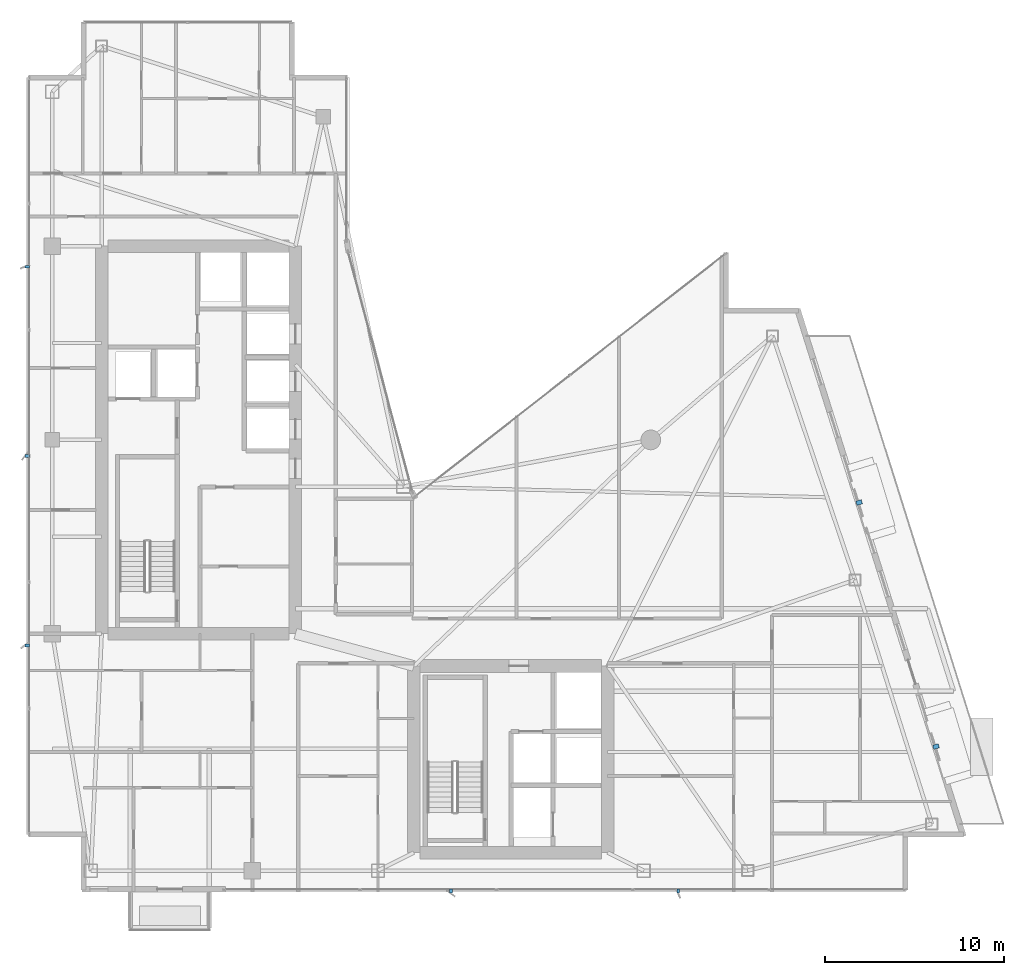
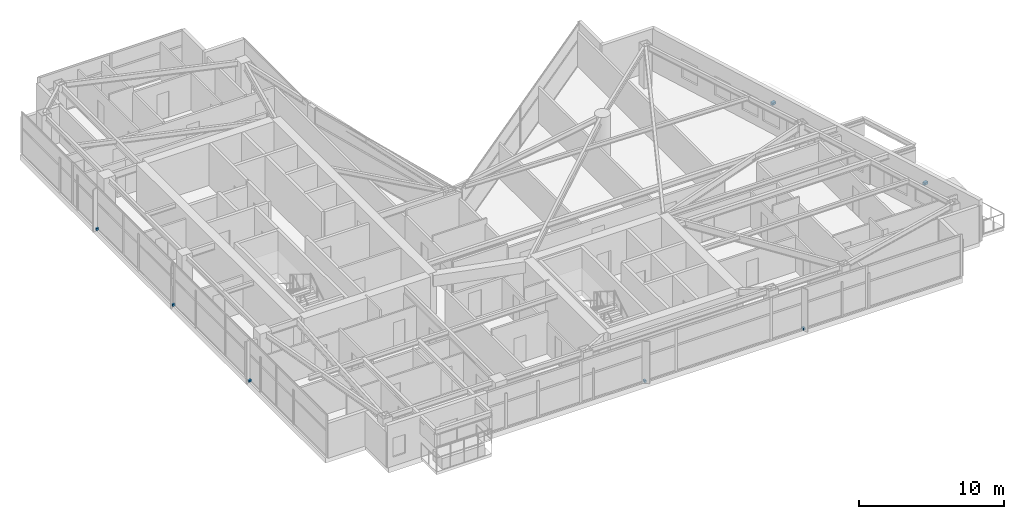
# One storey, part 27 of 29: 7 discrete accessories.
"""IFC4 building model written with IfcOpenShell, lengths in metres."""

from ifc_helpers import new_model, si_unit, direction, frame, origin, origin_2d, place, context, subcontext, project, spatial, rectangle, extrude, material, type_object, element, save


model = new_model("IFC4")

# Units and contexts
model_context = context("Model", 3, precision=1e-05, world=origin(), true_north=direction((0.0, 1.0)))
body_context = subcontext(model_context, "Body", "Model", "MODEL_VIEW")
ifc_project = project(units=[si_unit("LENGTHUNIT", "METRE"), si_unit("AREAUNIT", "SQUARE_METRE"), si_unit("VOLUMEUNIT", "CUBIC_METRE"), si_unit("PLANEANGLEUNIT", "RADIAN"), si_unit("MASSUNIT", "GRAM", prefix="KILO")], contexts=[model_context])

# Site, building, storey
site_placement = place(None, origin())
site = spatial("IfcSite", under=ifc_project, at=site_placement, CompositionType="ELEMENT")
building_placement = place(site_placement, origin())
building = spatial("IfcBuilding", under=site, at=building_placement, Name="Calvorn Quay Hotel", CompositionType="ELEMENT")
storey_placement = place(building_placement, frame((0.0, 0.0, 199.60009765625)))
storey = spatial("IfcBuildingStorey", under=building, at=storey_placement, Name="L49", CompositionType="ELEMENT", Elevation=199.60009765625)

# Discrete accessories
ifc_material = material(Name="Steel Q355B", Category="steel")
discrete_accessory_type = type_object("IfcDiscreteAccessoryType", Name="ACC-FIN-BRACKET", PredefinedType="BRACKET", material=ifc_material)
for number, where, z_axis, x_axis, name in (
    (1, (0.06005859375, 16.14990234375, 0.02978515625), (0.0, 0.0, 1.0), (1.0, 0.0, 0.0), "Fin Anchor Bracket L49-W01"),
    (2, (0.06005859375, 26.699951171875, 0.02978515625), (0.0, 0.0, 1.0), (1.0, 0.0, 0.0), "Fin Anchor Bracket L49-W02"),
    (3, (0.06005859375, 37.25, 0.02978515625), (0.0, 0.0, 1.0), (1.0, 0.0, 0.0), "Fin Anchor Bracket L49-W03"),
    (4, (23.6669921875, 2.4599609375, 0.02978515625), (0.0, 0.0, 1.0), (0.0, 1.0, 0.0), "Fin Anchor Bracket L49-S01"),
    (5, (36.3330078125, 2.4599609375, 0.02978515625), (0.0, 0.0, 1.0), (0.0, 1.0, 0.0), "Fin Anchor Bracket L49-S02"),
):
    element("IfcDiscreteAccessory", number, at=place(storey_placement, frame(where, z_axis=z_axis, x_axis=x_axis)), inside=storey, type_object=discrete_accessory_type, Name=name, PredefinedType="BRACKET", context=body_context, shape_type="SweptSolid", body=[
        extrude(rectangle(XDim=0.239990234375, YDim=0.159912109375, at=origin_2d()), origin(), (0.0, 0.0, 1.0), 0.179931640625),
    ])
for number, where, z_axis, x_axis, name in (
    (6, (50.695068359375, 10.511962890625, 2.3701171875), (0.0, 0.0, 1.0), (0.957319497532, 0.289031796944, 0.0), "Bay Hood Support Bracket L49-HOOD-1"),
    (7, (46.409912109375, 24.112060546875, 2.3701171875), (0.0, 0.0, 1.0), (0.957319497532, 0.289031796944, 0.0), "Bay Hood Support Bracket L49-HOOD-3"),
):
    element("IfcDiscreteAccessory", number, at=place(storey_placement, frame(where, z_axis=z_axis, x_axis=x_axis)), inside=storey, type_object=discrete_accessory_type, Name=name, PredefinedType="BRACKET", context=body_context, shape_type="SweptSolid", body=[
        extrude(rectangle(XDim=0.320068359375, YDim=0.239990234375, at=origin_2d()), origin(), (0.0, 0.0, 1.0), 0.199951171875),
    ])

save(model, "model.ifc")
